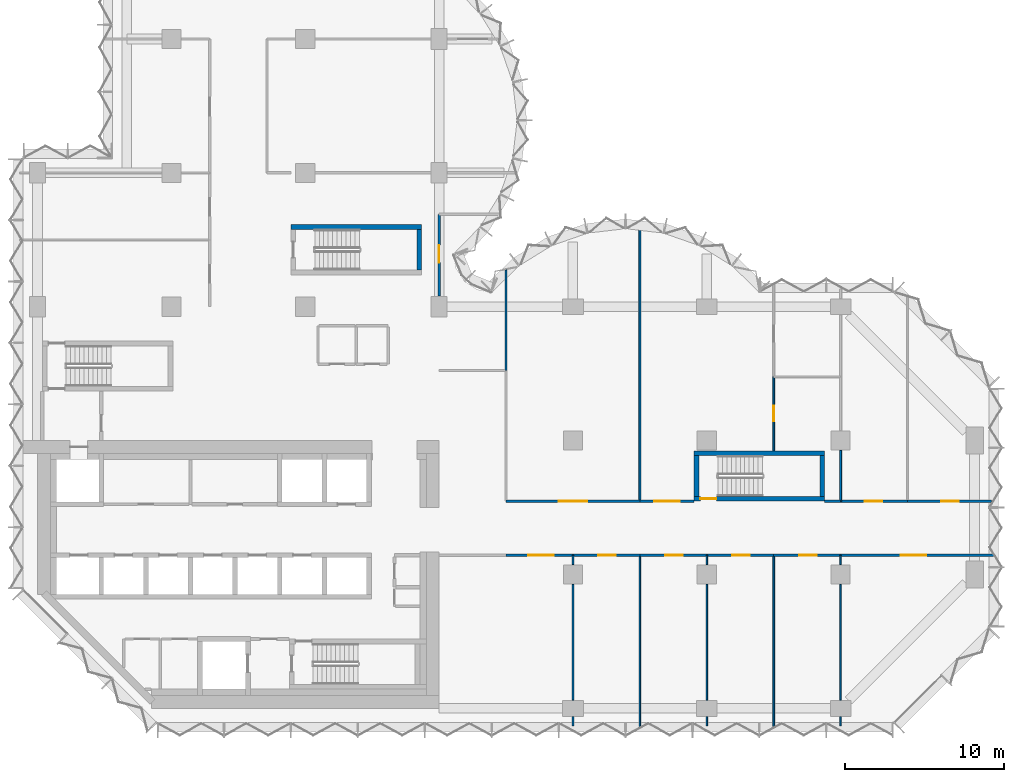
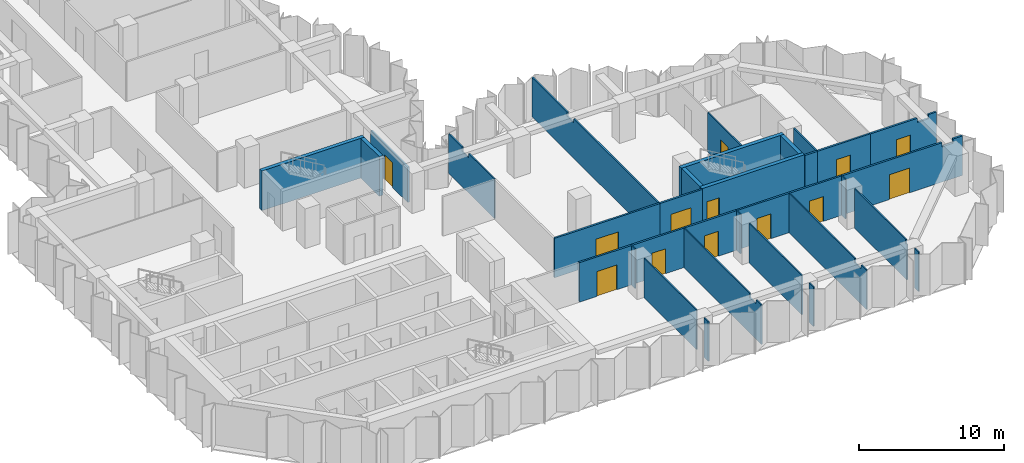
# One storey, part 7 of 11: 33 walls, 13 doors, 13 openings.
"""IFC4 building model written with IfcOpenShell, lengths in metres."""

from ifc_helpers import new_model, si_unit, direction, frame, frame_2d, origin, place, context, subcontext, project, spatial, polyline, rectangle, outline, extrude, material, layer, layer_set, type_object, element, fill, save


model = new_model("IFC4")

# Units and contexts
model_context = context("Model", 3, precision=1e-05, world=origin(), true_north=direction((0.0, 1.0)))
body_context = subcontext(model_context, "Body", "Model", "MODEL_VIEW")
ifc_project = project(units=[si_unit("LENGTHUNIT", "METRE"), si_unit("AREAUNIT", "SQUARE_METRE"), si_unit("VOLUMEUNIT", "CUBIC_METRE"), si_unit("PLANEANGLEUNIT", "RADIAN"), si_unit("MASSUNIT", "GRAM", prefix="KILO")], contexts=[model_context])

# Site, building, storey
site_placement = place(None, origin())
site = spatial("IfcSite", under=ifc_project, at=site_placement, CompositionType="ELEMENT")
building_placement = place(site_placement, origin())
building = spatial("IfcBuilding", under=site, at=building_placement, Name="Brevane Broadcast Tower", CompositionType="ELEMENT")
storey_placement = place(building_placement, frame((0.0, 0.0, 149.300048828125)))
storey = spatial("IfcBuildingStorey", under=building, at=storey_placement, Name="L37", CompositionType="ELEMENT", Elevation=149.300048828125)

# Walls
ifc_material_1 = material(Name="Concrete C60/75", Category="concrete")
ifc_layer_1 = layer(ifc_material_1, 0.300048828125)
ifc_layer_set_1 = layer_set([ifc_layer_1], Name="Core wall 300 mm C60/75")
wall_type_1 = type_object("IfcWallType", Name="Core wall 300 mm C60/75", PredefinedType="SHEAR", material=ifc_layer_set_1)
wall_1_placement = place(storey_placement, frame((15.89990234375, 30.199951171875, 0.0), z_axis=(0.0, 0.0, 1.0), x_axis=(1.0, 0.0, 0.0)))
element("IfcWall", 1, at=wall_1_placement, inside=storey, type_object=wall_type_1, Name="L37 stair wall ST-3-N", PredefinedType="SHEAR", context=body_context, shape_type="SweptSolid", body=[
    extrude(rectangle(XDim=8.2001953125, YDim=0.300048828125, at=frame_2d((4.10009765625, 0.0))), origin(), (0.0, 0.0, 1.0), 3.349853515625),
])
wall_2_placement = place(storey_placement, frame((23.949951171875, 27.5, 0.0), z_axis=(0.0, 0.0, 1.0), x_axis=(0.0, 1.0, 0.0)))
element("IfcWall", 2, at=wall_2_placement, inside=storey, type_object=wall_type_1, Name="L37 stair wall ST-3-E", PredefinedType="SHEAR", context=body_context, shape_type="SweptSolid", body=[
    extrude(rectangle(XDim=2.550048828125, YDim=0.300048828125, at=frame_2d((1.27490234375, 0.0))), origin(), (0.0, 0.0, 1.0), 3.349853515625),
])

# Wall, opening, door
wall_3_placement = place(storey_placement, frame((49.39990234375, 13.14990234375, 0.0), z_axis=(0.0, 0.0, 1.0), x_axis=(-1.0, 0.0, 0.0)))
wall_3 = element("IfcWall", 3, at=wall_3_placement, inside=storey, type_object=wall_type_1, Name="L37 stair wall ST-4-S", PredefinedType="SHEAR", context=body_context, shape_type="SweptSolid", body=[
    extrude(rectangle(XDim=8.199951171875, YDim=0.300048828125, at=frame_2d((4.10009765625, 0.0))), origin(), (0.0, 0.0, 1.0), 3.349853515625),
])
opening_1_placement = place(wall_3_placement, frame((6.800048828125, 0.0, 0.0)))
opening_1 = element("IfcOpeningElement", 4, at=opening_1_placement, cuts=wall_3, Name="Opening L37-K15", PredefinedType="OPENING", context=body_context, shape_type="SweptSolid", body=[
    extrude(rectangle(XDim=1.0, YDim=2.10009765625, at=frame_2d((0.5, 1.050048828125))), frame((0.0, 0.159912109375, 0.0), z_axis=(0.0, -1.0, 0.0), x_axis=(1.0, 0.0, 0.0)), (0.0, 0.0, 1.0), 0.320068359375),
])
ifc_material_2 = material(Name="Steel", Category="steel")
door_type_1 = type_object("IfcDoorType", Name="Stair door 1000 x 2100", OperationType="SINGLE_SWING_LEFT", PredefinedType="DOOR", material=ifc_material_2)
door_1_placement = place(opening_1_placement, origin())
door_1 = element("IfcDoor", 5, at=door_1_placement, inside=storey, type_object=door_type_1, Name="Door L37-K15", OperationType="SINGLE_SWING_LEFT", OverallHeight=2.10009765625, OverallWidth=1.0, PredefinedType="DOOR", context=body_context, shape_type="SweptSolid", body=[
    extrude(rectangle(XDim=1.0, YDim=2.10009765625, at=frame_2d((0.5, 1.050048828125))), frame((0.0, 0.02490234375, 0.0), z_axis=(0.0, -1.0, 0.0), x_axis=(1.0, 0.0, 0.0)), (0.0, 0.0, 1.0), 0.050048828125),
])
fill(opening_1, door_1)

# Walls
wall_4_placement = place(storey_placement, frame((41.199951171875, 16.0, 0.0), z_axis=(0.0, 0.0, 1.0), x_axis=(1.0, 0.0, 0.0)))
element("IfcWall", 6, at=wall_4_placement, inside=storey, type_object=wall_type_1, Name="L37 stair wall ST-4-N", PredefinedType="SHEAR", context=body_context, shape_type="SweptSolid", body=[
    extrude(rectangle(XDim=8.199951171875, YDim=0.300048828125, at=frame_2d((4.10009765625, 0.0))), origin(), (0.0, 0.0, 1.0), 3.349853515625),
])
for number, where, z_axis, x_axis, name in (
    (7, (41.35009765625, 13.300048828125, 0.0), (0.0, 0.0, 1.0), (0.0, 1.0, 0.0), "L37 stair wall ST-4-W"),
    (8, (49.25, 13.300048828125, 0.0), (0.0, 0.0, 1.0), (0.0, 1.0, 0.0), "L37 stair wall ST-4-E"),
):
    element("IfcWall", number, at=place(storey_placement, frame(where, z_axis=z_axis, x_axis=x_axis)), inside=storey, type_object=wall_type_1, Name=name, PredefinedType="SHEAR", context=body_context, shape_type="SweptSolid", body=[
        extrude(rectangle(XDim=2.550048828125, YDim=0.300048828125, at=frame_2d((1.27490234375, 0.0))), origin(), (0.0, 0.0, 1.0), 3.349853515625),
    ])
ifc_material_3 = material(Name="Gypsum board partition")
ifc_layer_2 = layer(ifc_material_3, 0.10009765625)
ifc_layer_set_2 = layer_set([ifc_layer_2], Name="PARTITION 100 STUD")
wall_type_2 = type_object("IfcWallType", Name="PARTITION 100 STUD", PredefinedType="PARTITIONING", material=ifc_layer_set_2)
wall_5_placement = place(storey_placement, frame((29.39990234375, 27.510986328125, 0.0), z_axis=(0.0, 0.0, 1.0), x_axis=(0.0, -1.0, 0.0)))
element("IfcWall", 9, at=wall_5_placement, inside=storey, type_object=wall_type_2, Name="Partition G11-004", PredefinedType="PARTITIONING", context=body_context, shape_type="SweptSolid", body=[
    extrude(outline(polyline([(0.0, 0.0), (6.31103515625, 0.0), (6.31103515625, 3.329833984375), (2.760986328125, 3.329833984375), (2.759033203125, 2.97998046875), (1.863037109375, 2.97998046875), (1.861083984375, 3.329833984375), (0.236083984375, 3.329833984375), (0.0, 3.329833984375), (0.0, 0.0)])), frame((0.0, 0.050048828125, 0.0), z_axis=(0.0, -1.0, 0.0), x_axis=(1.0, 0.0, 0.0)), (0.0, 0.0, 1.0), 0.10009765625),
])
wall_6_placement = place(storey_placement, frame((33.60009765625, 9.60009765625, 0.0), z_axis=(0.0, 0.0, 1.0), x_axis=(0.0, -1.0, 0.0)))
element("IfcWall", 10, at=wall_6_placement, inside=storey, type_object=wall_type_2, Name="Partition G11-018", PredefinedType="PARTITIONING", context=body_context, shape_type="SweptSolid", body=[
    extrude(rectangle(XDim=0.580078125, YDim=0.10009765625, at=frame_2d((0.2900390625, 0.0))), origin(), (0.0, 0.0, 1.0), 3.329833984375),
])
wall_7_placement = place(storey_placement, frame((33.60009765625, 7.780029296875, 0.0), z_axis=(0.0, 0.0, 1.0), x_axis=(0.0, -1.0, 0.0)))
element("IfcWall", 11, at=wall_7_placement, inside=storey, type_object=wall_type_2, Name="Partition G11-019", PredefinedType="PARTITIONING", context=body_context, shape_type="SweptSolid", body=[
    extrude(rectangle(XDim=7.260009765625, YDim=0.10009765625, at=frame_2d((3.6298828125, 0.0))), origin(), (0.0, 0.0, 1.0), 3.329833984375),
])
wall_8_placement = place(storey_placement, frame((33.60009765625, -0.52001953125, 0.0), z_axis=(0.0, 0.0, 1.0), x_axis=(0.0, -1.0, 0.0)))
element("IfcWall", 12, at=wall_8_placement, inside=storey, type_object=wall_type_2, Name="Partition G11-020", PredefinedType="PARTITIONING", context=body_context, shape_type="SweptSolid", body=[
    extrude(rectangle(XDim=0.580078125, YDim=0.10009765625, at=frame_2d((0.2900390625, 0.0))), origin(), (0.0, 0.0, 1.0), 3.329833984375),
])
wall_9_placement = place(storey_placement, frame((37.800048828125, 9.60009765625, 0.0), z_axis=(0.0, 0.0, 1.0), x_axis=(0.0, -1.0, 0.0)))
element("IfcWall", 13, at=wall_9_placement, inside=storey, type_object=wall_type_2, Name="Partition G11-021", PredefinedType="PARTITIONING", context=body_context, shape_type="SweptSolid", body=[
    extrude(outline(polyline([(0.0, 0.0), (10.774169921875, 0.0), (10.77392578125, 3.329833984375), (10.699951171875, 3.329833984375), (10.050048828125, 3.329833984375), (10.048095703125, 2.97998046875), (9.152099609375, 2.97998046875), (9.14990234375, 3.329833984375), (0.0, 3.329833984375), (0.0, 0.0)])), frame((0.0, 0.050048828125, 0.0), z_axis=(0.0, -1.0, 0.0), x_axis=(1.0, 0.0, 0.0)), (0.0, 0.0, 1.0), 0.10009765625),
])
wall_10_placement = place(storey_placement, frame((42.0, 9.60009765625, 0.0), z_axis=(0.0, 0.0, 1.0), x_axis=(0.0, -1.0, 0.0)))
element("IfcWall", 14, at=wall_10_placement, inside=storey, type_object=wall_type_2, Name="Partition G11-022", PredefinedType="PARTITIONING", context=body_context, shape_type="SweptSolid", body=[
    extrude(rectangle(XDim=0.580078125, YDim=0.10009765625, at=frame_2d((0.2900390625, 0.0))), origin(), (0.0, 0.0, 1.0), 3.329833984375),
])
wall_11_placement = place(storey_placement, frame((42.0, 7.780029296875, 0.0), z_axis=(0.0, 0.0, 1.0), x_axis=(0.0, -1.0, 0.0)))
element("IfcWall", 15, at=wall_11_placement, inside=storey, type_object=wall_type_2, Name="Partition G11-023", PredefinedType="PARTITIONING", context=body_context, shape_type="SweptSolid", body=[
    extrude(rectangle(XDim=7.260009765625, YDim=0.10009765625, at=frame_2d((3.6298828125, 0.0))), origin(), (0.0, 0.0, 1.0), 3.329833984375),
])
wall_12_placement = place(storey_placement, frame((42.0, -0.52001953125, 0.0), z_axis=(0.0, 0.0, 1.0), x_axis=(0.0, -1.0, 0.0)))
element("IfcWall", 16, at=wall_12_placement, inside=storey, type_object=wall_type_2, Name="Partition G11-024", PredefinedType="PARTITIONING", context=body_context, shape_type="SweptSolid", body=[
    extrude(rectangle(XDim=0.580078125, YDim=0.10009765625, at=frame_2d((0.2900390625, 0.0))), origin(), (0.0, 0.0, 1.0), 3.329833984375),
])
wall_13_placement = place(storey_placement, frame((46.199951171875, 9.60009765625, 0.0), z_axis=(0.0, 0.0, 1.0), x_axis=(0.0, -1.0, 0.0)))
element("IfcWall", 17, at=wall_13_placement, inside=storey, type_object=wall_type_2, Name="Partition G11-025", PredefinedType="PARTITIONING", context=body_context, shape_type="SweptSolid", body=[
    extrude(outline(polyline([(0.0, 0.0), (10.774169921875, 0.0), (10.77392578125, 3.329833984375), (10.699951171875, 3.329833984375), (10.050048828125, 3.329833984375), (10.048095703125, 2.97998046875), (9.152099609375, 2.97998046875), (9.14990234375, 3.329833984375), (0.0, 3.329833984375), (0.0, 0.0)])), frame((0.0, 0.050048828125, 0.0), z_axis=(0.0, -1.0, 0.0), x_axis=(1.0, 0.0, 0.0)), (0.0, 0.0, 1.0), 0.10009765625),
])
wall_14_placement = place(storey_placement, frame((50.39990234375, 9.60009765625, 0.0), z_axis=(0.0, 0.0, 1.0), x_axis=(0.0, -1.0, 0.0)))
element("IfcWall", 18, at=wall_14_placement, inside=storey, type_object=wall_type_2, Name="Partition G11-026", PredefinedType="PARTITIONING", context=body_context, shape_type="SweptSolid", body=[
    extrude(rectangle(XDim=0.580078125, YDim=0.10009765625, at=frame_2d((0.2900390625, 0.0))), origin(), (0.0, 0.0, 1.0), 3.329833984375),
])
wall_15_placement = place(storey_placement, frame((50.39990234375, 7.780029296875, 0.0), z_axis=(0.0, 0.0, 1.0), x_axis=(0.0, -1.0, 0.0)))
element("IfcWall", 19, at=wall_15_placement, inside=storey, type_object=wall_type_2, Name="Partition G11-027", PredefinedType="PARTITIONING", context=body_context, shape_type="SweptSolid", body=[
    extrude(outline(polyline([(0.0, 0.0), (7.260009765625, 0.0), (7.260009765625, 2.97998046875), (7.1162109375, 2.97998046875), (7.1142578125, 3.329833984375), (0.0, 3.329833984375), (0.0, 0.0)])), frame((0.0, 0.050048828125, 0.0), z_axis=(0.0, -1.0, 0.0), x_axis=(1.0, 0.0, 0.0)), (0.0, 0.0, 1.0), 0.10009765625),
])
wall_16_placement = place(storey_placement, frame((50.39990234375, -0.52001953125, 0.0), z_axis=(0.0, 0.0, 1.0), x_axis=(0.0, -1.0, 0.0)))
element("IfcWall", 20, at=wall_16_placement, inside=storey, type_object=wall_type_2, Name="Partition G11-028", PredefinedType="PARTITIONING", context=body_context, shape_type="SweptSolid", body=[
    extrude(rectangle(XDim=0.580078125, YDim=0.10009765625, at=frame_2d((0.2900390625, 0.0))), origin(), (0.0, 0.0, 1.0), 3.329833984375),
])

# Wall, opening, door
wall_17_placement = place(storey_placement, frame((46.199951171875, 20.800048828125, 0.0), z_axis=(0.0, 0.0, 1.0), x_axis=(0.0, -1.0, 0.0)))
wall_17 = element("IfcWall", 21, at=wall_17_placement, inside=storey, type_object=wall_type_2, Name="Partition G11-030", PredefinedType="PARTITIONING", context=body_context, shape_type="SweptSolid", body=[
    extrude(rectangle(XDim=4.650146484375, YDim=0.10009765625, at=frame_2d((2.3251953125, 0.0))), origin(), (0.0, 0.0, 1.0), 3.329833984375),
])
opening_2_placement = place(wall_17_placement, frame((1.800048828125, 0.0, 0.0)))
opening_2 = element("IfcOpeningElement", 22, at=opening_2_placement, cuts=wall_17, Name="Opening D18-010", PredefinedType="OPENING", context=body_context, shape_type="SweptSolid", body=[
    extrude(rectangle(XDim=1.0, YDim=2.10009765625, at=frame_2d((0.5, 1.050048828125))), frame((0.0, 0.06005859375, 0.0), z_axis=(0.0, -1.0, 0.0), x_axis=(1.0, 0.0, 0.0)), (0.0, 0.0, 1.0), 0.1201171875),
])
ifc_material_4 = material(Name="Timber door leaf", Category="wood")
door_type_2 = type_object("IfcDoorType", Name="DOOR SINGLE 1000 INTERNAL", OperationType="SINGLE_SWING_LEFT", PredefinedType="DOOR", material=ifc_material_4)
door_2_placement = place(opening_2_placement, origin())
door_2 = element("IfcDoor", 23, at=door_2_placement, inside=storey, type_object=door_type_2, Name="Door D18-010", OperationType="SINGLE_SWING_LEFT", OverallHeight=2.10009765625, OverallWidth=1.0, PredefinedType="DOOR", context=body_context, shape_type="SweptSolid", body=[
    extrude(rectangle(XDim=1.0, YDim=2.10009765625, at=frame_2d((0.5, 1.050048828125))), frame((0.0, 0.02490234375, 0.0), z_axis=(0.0, -1.0, 0.0), x_axis=(1.0, 0.0, 0.0)), (0.0, 0.0, 1.0), 0.050048828125),
])
fill(opening_2, door_2)

# Walls
ifc_layer_3 = layer(ifc_material_3, 0.125)
ifc_layer_set_3 = layer_set([ifc_layer_3], Name="PARTITION 125 ACOUSTIC")
wall_type_3 = type_object("IfcWallType", Name="PARTITION 125 ACOUSTIC", PredefinedType="PARTITIONING", material=ifc_layer_set_3)
wall_18_placement = place(storey_placement, frame((37.800048828125, 30.52587890625, 0.0), z_axis=(0.0, 0.0, 1.0), x_axis=(0.0, -1.0, 0.0)))
element("IfcWall", 24, at=wall_18_placement, inside=storey, type_object=wall_type_3, Name="Partition G11-029", PredefinedType="PARTITIONING", context=body_context, shape_type="SweptSolid", body=[
    extrude(outline(polyline([(0.0, 0.0), (17.52587890625, 0.0), (17.52587890625, 3.329833984375), (5.77587890625, 3.329833984375), (5.77392578125, 2.97998046875), (4.8779296875, 2.97998046875), (4.8759765625, 3.329833984375), (0.283203125, 3.329833984375), (0.0, 3.329833984375), (0.0, 0.0)])), frame((0.0, 0.0625, 0.0), z_axis=(0.0, -1.0, 0.0), x_axis=(1.0, 0.0, 0.0)), (0.0, 0.0, 1.0), 0.125),
])
wall_19_placement = place(storey_placement, frame((50.39990234375, 16.179931640625, 0.0), z_axis=(0.0, 0.0, 1.0), x_axis=(0.0, -1.0, 0.0)))
element("IfcWall", 25, at=wall_19_placement, inside=storey, type_object=wall_type_3, Name="Partition G11-034", PredefinedType="PARTITIONING", context=body_context, shape_type="SweptSolid", body=[
    extrude(rectangle(XDim=3.179931640625, YDim=0.125, at=frame_2d((1.58984375, 0.0))), origin(), (0.0, 0.0, 1.0), 3.329833984375),
])

# Wall, opening, door
ifc_layer_4 = layer(ifc_material_3, 0.14990234375)
ifc_layer_set_4 = layer_set([ifc_layer_4], Name="PARTITION 150 EI 60")
wall_type_4 = type_object("IfcWallType", Name="PARTITION 150 EI 60", PredefinedType="PARTITIONING", material=ifc_layer_set_4)
wall_20_placement = place(storey_placement, frame((25.199951171875, 31.0, 0.0), z_axis=(0.0, 0.0, 1.0), x_axis=(0.0, -1.0, 0.0)))
wall_20 = element("IfcWall", 26, at=wall_20_placement, inside=storey, type_object=wall_type_4, Name="Partition G11-005", PredefinedType="PARTITIONING", context=body_context, shape_type="SweptSolid", body=[
    extrude(outline(polyline([(0.0, 0.0), (5.1298828125, 0.0), (5.1298828125, 2.97998046875), (0.0, 2.97998046875), (0.0, 0.0)])), frame((0.0, 0.074951171875, 0.0), z_axis=(0.0, -1.0, 0.0), x_axis=(1.0, 0.0, 0.0)), (0.0, 0.0, 1.0), 0.14990234375),
])
opening_3_placement = place(wall_20_placement, frame((1.929931640625, 0.0, 0.0)))
opening_3 = element("IfcOpeningElement", 27, at=opening_3_placement, cuts=wall_20, Name="Opening D18-001", PredefinedType="OPENING", context=body_context, shape_type="SweptSolid", body=[
    extrude(rectangle(XDim=1.10009765625, YDim=2.10009765625, at=frame_2d((0.550048828125, 1.050048828125))), frame((0.0, 0.0849609375, 0.0), z_axis=(0.0, -1.0, 0.0), x_axis=(1.0, 0.0, 0.0)), (0.0, 0.0, 1.0), 0.169921875),
])
ifc_material_5 = material(Name="Fire-rated timber door leaf", Category="wood")
door_type_3 = type_object("IfcDoorType", Name="DOOR SINGLE 1100 FD30S", OperationType="SINGLE_SWING_LEFT", PredefinedType="DOOR", material=ifc_material_5)
door_3_placement = place(opening_3_placement, origin())
door_3 = element("IfcDoor", 28, at=door_3_placement, inside=storey, type_object=door_type_3, Name="Door D18-001", OperationType="SINGLE_SWING_RIGHT", OverallHeight=2.10009765625, OverallWidth=1.10009765625, PredefinedType="DOOR", context=body_context, shape_type="SweptSolid", body=[
    extrude(rectangle(XDim=1.10009765625, YDim=2.10009765625, at=frame_2d((0.550048828125, 1.050048828125))), frame((0.0, 0.02490234375, 0.0), z_axis=(0.0, -1.0, 0.0), x_axis=(1.0, 0.0, 0.0)), (0.0, 0.0, 1.0), 0.050048828125),
])
fill(opening_3, door_3)

wall_21_placement = place(storey_placement, frame((33.60009765625, 9.60009765625, 0.0), z_axis=(0.0, 0.0, 1.0), x_axis=(-1.0, 0.0, 0.0)))
wall_21 = element("IfcWall", 29, at=wall_21_placement, inside=storey, type_object=wall_type_4, Name="Partition G11-007", PredefinedType="PARTITIONING", context=body_context, shape_type="SweptSolid", body=[
    extrude(rectangle(XDim=4.2001953125, YDim=0.14990234375, at=frame_2d((2.10009765625, 0.0))), origin(), (0.0, 0.0, 1.0), 3.329833984375),
])
opening_4_placement = place(wall_21_placement, frame((1.199951171875, 0.0, 0.0)))
opening_4 = element("IfcOpeningElement", 30, at=opening_4_placement, cuts=wall_21, Name="Opening D18-002", PredefinedType="OPENING", context=body_context, shape_type="SweptSolid", body=[
    extrude(rectangle(XDim=1.60009765625, YDim=2.10009765625, at=frame_2d((0.800048828125, 1.050048828125))), frame((0.0, 0.0849609375, 0.0), z_axis=(0.0, -1.0, 0.0), x_axis=(1.0, 0.0, 0.0)), (0.0, 0.0, 1.0), 0.169921875),
])
door_type_4 = type_object("IfcDoorType", Name="DOOR DOUBLE 1600 FD30S", OperationType="DOUBLE_DOOR_SINGLE_SWING", PredefinedType="DOOR", material=ifc_material_5)
door_4_placement = place(opening_4_placement, origin())
door_4 = element("IfcDoor", 31, at=door_4_placement, inside=storey, type_object=door_type_4, Name="Door D18-002", OperationType="DOUBLE_DOOR_SINGLE_SWING", OverallHeight=2.10009765625, OverallWidth=1.60009765625, PredefinedType="DOOR", context=body_context, shape_type="SweptSolid", body=[
    extrude(rectangle(XDim=1.60009765625, YDim=2.10009765625, at=frame_2d((0.800048828125, 1.050048828125))), frame((0.0, 0.02490234375, 0.0), z_axis=(0.0, -1.0, 0.0), x_axis=(1.0, 0.0, 0.0)), (0.0, 0.0, 1.0), 0.050048828125),
])
fill(opening_4, door_4)

wall_22_placement = place(storey_placement, frame((37.800048828125, 9.60009765625, 0.0), z_axis=(0.0, 0.0, 1.0), x_axis=(-1.0, 0.0, 0.0)))
wall_22 = element("IfcWall", 32, at=wall_22_placement, inside=storey, type_object=wall_type_4, Name="Partition G11-008", PredefinedType="PARTITIONING", context=body_context, shape_type="SweptSolid", body=[
    extrude(rectangle(XDim=4.199951171875, YDim=0.14990234375, at=frame_2d((2.10009765625, 0.0))), origin(), (0.0, 0.0, 1.0), 3.329833984375),
])
opening_5_placement = place(wall_22_placement, frame((1.5, 0.0, 0.0)))
opening_5 = element("IfcOpeningElement", 33, at=opening_5_placement, cuts=wall_22, Name="Opening D18-003", PredefinedType="OPENING", context=body_context, shape_type="SweptSolid", body=[
    extrude(rectangle(XDim=1.10009765625, YDim=2.10009765625, at=frame_2d((0.550048828125, 1.050048828125))), frame((0.0, 0.0849609375, 0.0), z_axis=(0.0, -1.0, 0.0), x_axis=(1.0, 0.0, 0.0)), (0.0, 0.0, 1.0), 0.169921875),
])
door_5_placement = place(opening_5_placement, origin())
door_5 = element("IfcDoor", 34, at=door_5_placement, inside=storey, type_object=door_type_3, Name="Door D18-003", OperationType="SINGLE_SWING_LEFT", OverallHeight=2.10009765625, OverallWidth=1.10009765625, PredefinedType="DOOR", context=body_context, shape_type="SweptSolid", body=[
    extrude(rectangle(XDim=1.10009765625, YDim=2.10009765625, at=frame_2d((0.550048828125, 1.050048828125))), frame((0.0, 0.02490234375, 0.0), z_axis=(0.0, -1.0, 0.0), x_axis=(1.0, 0.0, 0.0)), (0.0, 0.0, 1.0), 0.050048828125),
])
fill(opening_5, door_5)

wall_23_placement = place(storey_placement, frame((42.0, 9.60009765625, 0.0), z_axis=(0.0, 0.0, 1.0), x_axis=(-1.0, 0.0, 0.0)))
wall_23 = element("IfcWall", 35, at=wall_23_placement, inside=storey, type_object=wall_type_4, Name="Partition G11-009", PredefinedType="PARTITIONING", context=body_context, shape_type="SweptSolid", body=[
    extrude(rectangle(XDim=4.199951171875, YDim=0.14990234375, at=frame_2d((2.10009765625, 0.0))), origin(), (0.0, 0.0, 1.0), 3.329833984375),
])
opening_6_placement = place(wall_23_placement, frame((1.5, 0.0, 0.0)))
opening_6 = element("IfcOpeningElement", 36, at=opening_6_placement, cuts=wall_23, Name="Opening D18-004", PredefinedType="OPENING", context=body_context, shape_type="SweptSolid", body=[
    extrude(rectangle(XDim=1.10009765625, YDim=2.10009765625, at=frame_2d((0.550048828125, 1.050048828125))), frame((0.0, 0.0849609375, 0.0), z_axis=(0.0, -1.0, 0.0), x_axis=(1.0, 0.0, 0.0)), (0.0, 0.0, 1.0), 0.169921875),
])
door_6_placement = place(opening_6_placement, origin())
door_6 = element("IfcDoor", 37, at=door_6_placement, inside=storey, type_object=door_type_3, Name="Door D18-004", OperationType="SINGLE_SWING_LEFT", OverallHeight=2.10009765625, OverallWidth=1.10009765625, PredefinedType="DOOR", context=body_context, shape_type="SweptSolid", body=[
    extrude(rectangle(XDim=1.10009765625, YDim=2.10009765625, at=frame_2d((0.550048828125, 1.050048828125))), frame((0.0, 0.02490234375, 0.0), z_axis=(0.0, -1.0, 0.0), x_axis=(1.0, 0.0, 0.0)), (0.0, 0.0, 1.0), 0.050048828125),
])
fill(opening_6, door_6)

wall_24_placement = place(storey_placement, frame((46.199951171875, 9.60009765625, 0.0), z_axis=(0.0, 0.0, 1.0), x_axis=(-1.0, 0.0, 0.0)))
wall_24 = element("IfcWall", 38, at=wall_24_placement, inside=storey, type_object=wall_type_4, Name="Partition G11-010", PredefinedType="PARTITIONING", context=body_context, shape_type="SweptSolid", body=[
    extrude(rectangle(XDim=4.199951171875, YDim=0.14990234375, at=frame_2d((2.10009765625, 0.0))), origin(), (0.0, 0.0, 1.0), 3.329833984375),
])
opening_7_placement = place(wall_24_placement, frame((1.5, 0.0, 0.0)))
opening_7 = element("IfcOpeningElement", 39, at=opening_7_placement, cuts=wall_24, Name="Opening D18-005", PredefinedType="OPENING", context=body_context, shape_type="SweptSolid", body=[
    extrude(rectangle(XDim=1.10009765625, YDim=2.10009765625, at=frame_2d((0.550048828125, 1.050048828125))), frame((0.0, 0.0849609375, 0.0), z_axis=(0.0, -1.0, 0.0), x_axis=(1.0, 0.0, 0.0)), (0.0, 0.0, 1.0), 0.169921875),
])
door_7_placement = place(opening_7_placement, origin())
door_7 = element("IfcDoor", 40, at=door_7_placement, inside=storey, type_object=door_type_3, Name="Door D18-005", OperationType="SINGLE_SWING_LEFT", OverallHeight=2.10009765625, OverallWidth=1.10009765625, PredefinedType="DOOR", context=body_context, shape_type="SweptSolid", body=[
    extrude(rectangle(XDim=1.10009765625, YDim=2.10009765625, at=frame_2d((0.550048828125, 1.050048828125))), frame((0.0, 0.02490234375, 0.0), z_axis=(0.0, -1.0, 0.0), x_axis=(1.0, 0.0, 0.0)), (0.0, 0.0, 1.0), 0.050048828125),
])
fill(opening_7, door_7)

wall_25_placement = place(storey_placement, frame((50.39990234375, 9.60009765625, 0.0), z_axis=(0.0, 0.0, 1.0), x_axis=(-1.0, 0.0, 0.0)))
wall_25 = element("IfcWall", 41, at=wall_25_placement, inside=storey, type_object=wall_type_4, Name="Partition G11-011", PredefinedType="PARTITIONING", context=body_context, shape_type="SweptSolid", body=[
    extrude(rectangle(XDim=4.199951171875, YDim=0.14990234375, at=frame_2d((2.10009765625, 0.0))), origin(), (0.0, 0.0, 1.0), 3.329833984375),
])
opening_8_placement = place(wall_25_placement, frame((1.5, 0.0, 0.0)))
opening_8 = element("IfcOpeningElement", 42, at=opening_8_placement, cuts=wall_25, Name="Opening D18-006", PredefinedType="OPENING", context=body_context, shape_type="SweptSolid", body=[
    extrude(rectangle(XDim=1.10009765625, YDim=2.10009765625, at=frame_2d((0.550048828125, 1.050048828125))), frame((0.0, 0.0849609375, 0.0), z_axis=(0.0, -1.0, 0.0), x_axis=(1.0, 0.0, 0.0)), (0.0, 0.0, 1.0), 0.169921875),
])
door_8_placement = place(opening_8_placement, origin())
door_8 = element("IfcDoor", 43, at=door_8_placement, inside=storey, type_object=door_type_3, Name="Door D18-006", OperationType="SINGLE_SWING_LEFT", OverallHeight=2.10009765625, OverallWidth=1.10009765625, PredefinedType="DOOR", context=body_context, shape_type="SweptSolid", body=[
    extrude(rectangle(XDim=1.10009765625, YDim=2.10009765625, at=frame_2d((0.550048828125, 1.050048828125))), frame((0.0, 0.02490234375, 0.0), z_axis=(0.0, -1.0, 0.0), x_axis=(1.0, 0.0, 0.0)), (0.0, 0.0, 1.0), 0.050048828125),
])
fill(opening_8, door_8)

wall_26_placement = place(storey_placement, frame((60.007080078125, 9.60009765625, 0.0), z_axis=(0.0, 0.0, 1.0), x_axis=(-1.0, 0.0, 0.0)))
wall_26 = element("IfcWall", 44, at=wall_26_placement, inside=storey, type_object=wall_type_4, Name="Partition G11-012", PredefinedType="PARTITIONING", context=body_context, shape_type="SweptSolid", body=[
    extrude(outline(polyline([(0.0, 0.0), (9.607177734375, 0.0), (9.607177734375, 3.329833984375), (1.656982421875, 3.329833984375), (1.655029296875, 2.97998046875), (0.759033203125, 2.97998046875), (0.757080078125, 3.329833984375), (0.127197265625, 3.329833984375), (0.0, 3.329833984375), (0.0, 0.0)])), frame((0.0, 0.074951171875, 0.0), z_axis=(0.0, -1.0, 0.0), x_axis=(1.0, 0.0, 0.0)), (0.0, 0.0, 1.0), 0.14990234375),
])
opening_9_placement = place(wall_26_placement, frame((4.22705078125, 0.0, 0.0)))
opening_9 = element("IfcOpeningElement", 45, at=opening_9_placement, cuts=wall_26, Name="Opening D18-007", PredefinedType="OPENING", context=body_context, shape_type="SweptSolid", body=[
    extrude(rectangle(XDim=1.60009765625, YDim=2.10009765625, at=frame_2d((0.800048828125, 1.050048828125))), frame((0.0, 0.0849609375, 0.0), z_axis=(0.0, -1.0, 0.0), x_axis=(1.0, 0.0, 0.0)), (0.0, 0.0, 1.0), 0.169921875),
])
door_9_placement = place(opening_9_placement, origin())
door_9 = element("IfcDoor", 46, at=door_9_placement, inside=storey, type_object=door_type_4, Name="Door D18-007", OperationType="DOUBLE_DOOR_SINGLE_SWING", OverallHeight=2.10009765625, OverallWidth=1.60009765625, PredefinedType="DOOR", context=body_context, shape_type="SweptSolid", body=[
    extrude(rectangle(XDim=1.60009765625, YDim=2.10009765625, at=frame_2d((0.800048828125, 1.050048828125))), frame((0.0, 0.02490234375, 0.0), z_axis=(0.0, -1.0, 0.0), x_axis=(1.0, 0.0, 0.0)), (0.0, 0.0, 1.0), 0.050048828125),
])
fill(opening_9, door_9)

wall_27_placement = place(storey_placement, frame((29.39990234375, 13.0, 0.0), z_axis=(0.0, 0.0, 1.0), x_axis=(1.0, 0.0, 0.0)))
wall_27 = element("IfcWall", 47, at=wall_27_placement, inside=storey, type_object=wall_type_4, Name="Partition G11-013", PredefinedType="PARTITIONING", context=body_context, shape_type="SweptSolid", body=[
    extrude(rectangle(XDim=8.400146484375, YDim=0.14990234375, at=frame_2d((4.2001953125, 0.0))), origin(), (0.0, 0.0, 1.0), 3.329833984375),
])
opening_10_placement = place(wall_27_placement, frame((3.300048828125, 0.0, 0.0)))
opening_10 = element("IfcOpeningElement", 48, at=opening_10_placement, cuts=wall_27, Name="Opening D18-008", PredefinedType="OPENING", context=body_context, shape_type="SweptSolid", body=[
    extrude(rectangle(XDim=1.800048828125, YDim=2.10009765625, at=frame_2d((0.89990234375, 1.050048828125))), frame((0.0, 0.0849609375, 0.0), z_axis=(0.0, -1.0, 0.0), x_axis=(1.0, 0.0, 0.0)), (0.0, 0.0, 1.0), 0.169921875),
])
door_type_5 = type_object("IfcDoorType", Name="DOOR DOUBLE 1800 FD30S", OperationType="DOUBLE_DOOR_SINGLE_SWING", PredefinedType="DOOR", material=ifc_material_5)
door_10_placement = place(opening_10_placement, origin())
door_10 = element("IfcDoor", 49, at=door_10_placement, inside=storey, type_object=door_type_5, Name="Door D18-008", OperationType="DOUBLE_DOOR_SINGLE_SWING", OverallHeight=2.10009765625, OverallWidth=1.800048828125, PredefinedType="DOOR", context=body_context, shape_type="SweptSolid", body=[
    extrude(rectangle(XDim=1.800048828125, YDim=2.10009765625, at=frame_2d((0.89990234375, 1.050048828125))), frame((0.0, 0.02490234375, 0.0), z_axis=(0.0, -1.0, 0.0), x_axis=(1.0, 0.0, 0.0)), (0.0, 0.0, 1.0), 0.050048828125),
])
fill(opening_10, door_10)

wall_28_placement = place(storey_placement, frame((37.800048828125, 13.0, 0.0), z_axis=(0.0, 0.0, 1.0), x_axis=(1.0, 0.0, 0.0)))
wall_28 = element("IfcWall", 50, at=wall_28_placement, inside=storey, type_object=wall_type_4, Name="Partition G11-014", PredefinedType="PARTITIONING", context=body_context, shape_type="SweptSolid", body=[
    extrude(rectangle(XDim=3.39990234375, YDim=0.14990234375, at=frame_2d((1.699951171875, 0.0))), origin(), (0.0, 0.0, 1.0), 3.329833984375),
])
opening_11_placement = place(wall_28_placement, frame((0.89990234375, 0.0, 0.0)))
opening_11 = element("IfcOpeningElement", 51, at=opening_11_placement, cuts=wall_28, Name="Opening D18-009", PredefinedType="OPENING", context=body_context, shape_type="SweptSolid", body=[
    extrude(rectangle(XDim=1.60009765625, YDim=2.10009765625, at=frame_2d((0.800048828125, 1.050048828125))), frame((0.0, 0.0849609375, 0.0), z_axis=(0.0, -1.0, 0.0), x_axis=(1.0, 0.0, 0.0)), (0.0, 0.0, 1.0), 0.169921875),
])
door_11_placement = place(opening_11_placement, origin())
door_11 = element("IfcDoor", 52, at=door_11_placement, inside=storey, type_object=door_type_4, Name="Door D18-009", OperationType="DOUBLE_DOOR_SINGLE_SWING", OverallHeight=2.10009765625, OverallWidth=1.60009765625, PredefinedType="DOOR", context=body_context, shape_type="SweptSolid", body=[
    extrude(rectangle(XDim=1.60009765625, YDim=2.10009765625, at=frame_2d((0.800048828125, 1.050048828125))), frame((0.0, 0.02490234375, 0.0), z_axis=(0.0, -1.0, 0.0), x_axis=(1.0, 0.0, 0.0)), (0.0, 0.0, 1.0), 0.050048828125),
])
fill(opening_11, door_11)

# Wall
wall_29_placement = place(storey_placement, frame((49.39990234375, 13.0, 0.0), z_axis=(0.0, 0.0, 1.0), x_axis=(1.0, 0.0, 0.0)))
element("IfcWall", 53, at=wall_29_placement, inside=storey, type_object=wall_type_4, Name="Partition G11-015", PredefinedType="PARTITIONING", context=body_context, shape_type="SweptSolid", body=[
    extrude(rectangle(XDim=1.0, YDim=0.14990234375, at=frame_2d((0.5, 0.0))), origin(), (0.0, 0.0, 1.0), 3.329833984375),
])

# Wall, opening, door
wall_30_placement = place(storey_placement, frame((50.39990234375, 13.0, 0.0), z_axis=(0.0, 0.0, 1.0), x_axis=(1.0, 0.0, 0.0)))
wall_30 = element("IfcWall", 54, at=wall_30_placement, inside=storey, type_object=wall_type_4, Name="Partition G11-016", PredefinedType="PARTITIONING", context=body_context, shape_type="SweptSolid", body=[
    extrude(rectangle(XDim=4.2001953125, YDim=0.14990234375, at=frame_2d((2.10009765625, 0.0))), origin(), (0.0, 0.0, 1.0), 3.329833984375),
])
opening_12_placement = place(wall_30_placement, frame((1.5, 0.0, 0.0)))
opening_12 = element("IfcOpeningElement", 55, at=opening_12_placement, cuts=wall_30, Name="Opening D18-012", PredefinedType="OPENING", context=body_context, shape_type="SweptSolid", body=[
    extrude(rectangle(XDim=1.10009765625, YDim=2.10009765625, at=frame_2d((0.550048828125, 1.050048828125))), frame((0.0, 0.0849609375, 0.0), z_axis=(0.0, -1.0, 0.0), x_axis=(1.0, 0.0, 0.0)), (0.0, 0.0, 1.0), 0.169921875),
])
door_12_placement = place(opening_12_placement, origin())
door_12 = element("IfcDoor", 56, at=door_12_placement, inside=storey, type_object=door_type_3, Name="Door D18-012", OperationType="SINGLE_SWING_LEFT", OverallHeight=2.10009765625, OverallWidth=1.10009765625, PredefinedType="DOOR", context=body_context, shape_type="SweptSolid", body=[
    extrude(rectangle(XDim=1.10009765625, YDim=2.10009765625, at=frame_2d((0.550048828125, 1.050048828125))), frame((0.0, 0.02490234375, 0.0), z_axis=(0.0, -1.0, 0.0), x_axis=(1.0, 0.0, 0.0)), (0.0, 0.0, 1.0), 0.050048828125),
])
fill(opening_12, door_12)

wall_31_placement = place(storey_placement, frame((54.60009765625, 13.0, 0.0), z_axis=(0.0, 0.0, 1.0), x_axis=(1.0, 0.0, 0.0)))
wall_31 = element("IfcWall", 57, at=wall_31_placement, inside=storey, type_object=wall_type_4, Name="Partition G11-017", PredefinedType="PARTITIONING", context=body_context, shape_type="SweptSolid", body=[
    extrude(outline(polyline([(0.0, 0.0), (5.27978515625, 0.0), (5.280029296875, 3.329833984375), (4.64990234375, 3.329833984375), (4.64794921875, 2.97998046875), (3.751953125, 2.97998046875), (3.75, 3.329833984375), (0.0, 3.329833984375), (0.0, 0.0)])), frame((0.0, 0.074951171875, 0.0), z_axis=(0.0, -1.0, 0.0), x_axis=(1.0, 0.0, 0.0)), (0.0, 0.0, 1.0), 0.14990234375),
])
opening_13_placement = place(wall_31_placement, frame((2.10009765625, 0.0, 0.0)))
opening_13 = element("IfcOpeningElement", 58, at=opening_13_placement, cuts=wall_31, Name="Opening D18-013", PredefinedType="OPENING", context=body_context, shape_type="SweptSolid", body=[
    extrude(rectangle(XDim=1.10009765625, YDim=2.10009765625, at=frame_2d((0.550048828125, 1.050048828125))), frame((0.0, 0.0849609375, 0.0), z_axis=(0.0, -1.0, 0.0), x_axis=(1.0, 0.0, 0.0)), (0.0, 0.0, 1.0), 0.169921875),
])
door_13_placement = place(opening_13_placement, origin())
door_13 = element("IfcDoor", 59, at=door_13_placement, inside=storey, type_object=door_type_3, Name="Door D18-013", OperationType="SINGLE_SWING_LEFT", OverallHeight=2.10009765625, OverallWidth=1.10009765625, PredefinedType="DOOR", context=body_context, shape_type="SweptSolid", body=[
    extrude(rectangle(XDim=1.10009765625, YDim=2.10009765625, at=frame_2d((0.550048828125, 1.050048828125))), frame((0.0, 0.02490234375, 0.0), z_axis=(0.0, -1.0, 0.0), x_axis=(1.0, 0.0, 0.0)), (0.0, 0.0, 1.0), 0.050048828125),
])
fill(opening_13, door_13)

save(model, "model.ifc")
